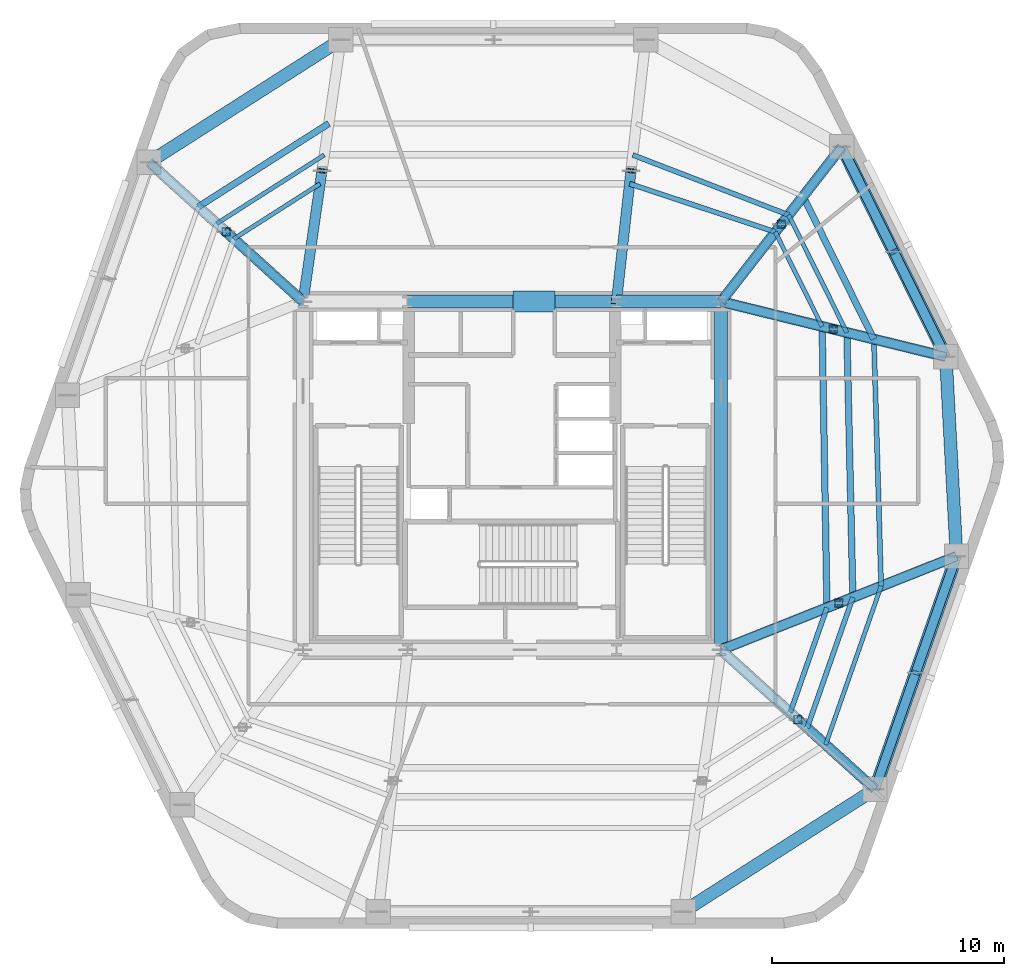
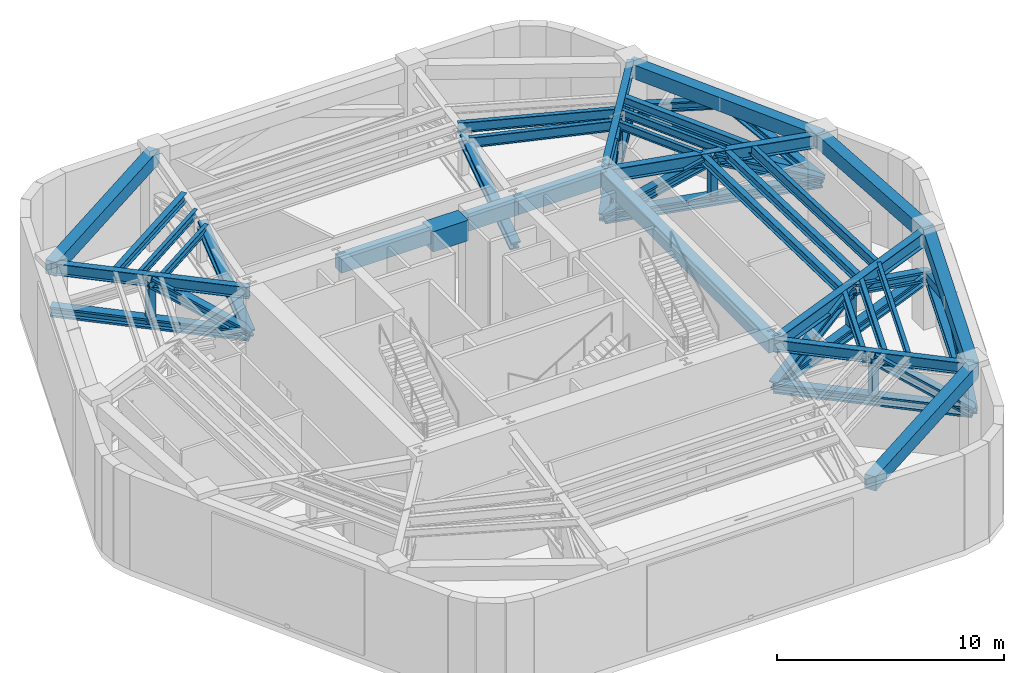
# One storey, part 3 of 10: 28 beams, 26 members.
"""IFC4 building model written with IfcOpenShell, lengths in metres."""

from ifc_helpers import new_model, si_unit, direction, frame, origin, origin_2d, place, context, subcontext, project, spatial, rectangle, hollow_rectangle, i_section, extrude, material, material_profile, profile_set, type_object, element, save


model = new_model("IFC4")

# Units and contexts
model_context = context("Model", 3, precision=1e-05, world=origin(), true_north=direction((0.0, 1.0)))
body_context = subcontext(model_context, "Body", "Model", "MODEL_VIEW")
ifc_project = project(units=[si_unit("LENGTHUNIT", "METRE"), si_unit("AREAUNIT", "SQUARE_METRE"), si_unit("VOLUMEUNIT", "CUBIC_METRE"), si_unit("PLANEANGLEUNIT", "RADIAN"), si_unit("MASSUNIT", "GRAM", prefix="KILO")], contexts=[model_context])

# Site, building, storey
site_placement = place(None, origin())
site = spatial("IfcSite", under=ifc_project, at=site_placement, CompositionType="ELEMENT")
building_placement = place(site_placement, origin())
building = spatial("IfcBuilding", under=site, at=building_placement, Name="Kilnhurst Terrace Hotel", CompositionType="ELEMENT")
storey_placement = place(building_placement, frame((0.0, 0.0, 170.199951171875)))
storey = spatial("IfcBuildingStorey", under=building, at=storey_placement, Name="L42", CompositionType="ELEMENT", Elevation=170.199951171875)

# Beams
ifc_material_1 = material(Name="Concrete C50/60", Category="concrete")
ifc_material_profile_1 = material_profile(ifc_material_1, rectangle(XDim=0.550048828125, YDim=0.75, at=origin_2d()), Name="RC550X750")
ifc_profile_set_1 = profile_set([ifc_material_profile_1], Name="Concrete C50/60")
beam_type_1 = type_object("IfcBeamType", Name="BM-SPN-550X750", PredefinedType="SPANDREL", material=ifc_profile_set_1)
beam_1_placement = place(storey_placement, frame((-4.5, 7.5, 4.72509765625), z_axis=(1.0, 0.0, 0.0), x_axis=(0.0, 1.0, 0.0)))
element("IfcBeam", 1, at=beam_1_placement, inside=storey, type_object=beam_type_1, Name="L42 Core Tie Beam CC-NC1 to CC-NC2", PredefinedType="SPANDREL", context=body_context, shape_type="SweptSolid", body=[
    extrude(rectangle(XDim=0.550048828125, YDim=0.75, at=origin_2d()), origin(), (0.0, 0.0, 1.0), 9.0),
])
beam_2_placement = place(storey_placement, frame((4.5, 7.5, 4.72509765625), z_axis=(1.0, 0.0, 0.0), x_axis=(0.0, 1.0, 0.0)))
element("IfcBeam", 2, at=beam_2_placement, inside=storey, type_object=beam_type_1, Name="L42 Core Tie Beam CC-NC2 to CC-NE", PredefinedType="SPANDREL", context=body_context, shape_type="SweptSolid", body=[
    extrude(rectangle(XDim=0.550048828125, YDim=0.75, at=origin_2d()), origin(), (0.0, 0.0, 1.0), 4.5),
])
beam_3_placement = place(storey_placement, frame((9.0, -7.5, 4.72509765625), z_axis=(0.0, 1.0, 0.0), x_axis=(-1.0, 0.0, 0.0)))
element("IfcBeam", 3, at=beam_3_placement, inside=storey, type_object=beam_type_1, Name="L42 Core Tie Beam CC-SE to CC-NE", PredefinedType="SPANDREL", context=body_context, shape_type="SweptSolid", body=[
    extrude(rectangle(XDim=0.550048828125, YDim=0.75, at=origin_2d()), origin(), (0.0, 0.0, 1.0), 15.0),
])
beam_4_placement = place(storey_placement, frame((7.368896484375, -18.780029296875, 4.72509765625), z_axis=(0.842915241256, 0.538046369803, 0.0), x_axis=(-0.538046369803, 0.842915241256, 0.0)))
element("IfcBeam", 4, at=beam_4_placement, inside=storey, type_object=beam_type_1, Name="L42 Perimeter Spandrel Beam 2", PredefinedType="SPANDREL", context=body_context, shape_type="SweptSolid", body=[
    extrude(rectangle(XDim=0.550048828125, YDim=0.75, at=origin_2d()), origin(), (0.0, 0.0, 1.0), 9.80419921875),
])
beam_5_placement = place(storey_placement, frame((15.633056640625, -13.5048828125, 4.72509765625), z_axis=(0.330488460168, 0.943810032632, 0.0), x_axis=(-0.943810032632, 0.330488460168, 0.0)))
element("IfcBeam", 5, at=beam_5_placement, inside=storey, type_object=beam_type_1, Name="L42 Perimeter Spandrel Beam 3", PredefinedType="SPANDREL", context=body_context, shape_type="SweptSolid", body=[
    extrude(rectangle(XDim=0.550048828125, YDim=0.75, at=origin_2d()), origin(), (0.0, 0.0, 1.0), 10.635498046875),
])
beam_6_placement = place(storey_placement, frame((19.14794921875, -3.467041015625, 4.72509765625), z_axis=(-0.053576072051, 0.998563770875, 0.0), x_axis=(-0.998563770875, -0.053576072051, 0.0)))
element("IfcBeam", 6, at=beam_6_placement, inside=storey, type_object=beam_type_1, Name="L42 Perimeter Spandrel Beam 4", PredefinedType="SPANDREL", context=body_context, shape_type="SweptSolid", body=[
    extrude(rectangle(XDim=0.550048828125, YDim=0.75, at=origin_2d()), origin(), (0.0, 0.0, 1.0), 8.603515625),
])
beam_7_placement = place(storey_placement, frame((18.68701171875, 5.1240234375, 4.72509765625), z_axis=(-0.444192032261, 0.895931603682, 0.0), x_axis=(-0.895931603682, -0.444192032261, 0.0)))
element("IfcBeam", 7, at=beam_7_placement, inside=storey, type_object=beam_type_1, Name="L42 Perimeter Spandrel Beam 5", PredefinedType="SPANDREL", context=body_context, shape_type="SweptSolid", body=[
    extrude(rectangle(XDim=0.550048828125, YDim=0.75, at=origin_2d()), origin(), (0.0, 0.0, 1.0), 10.09228515625),
])
beam_8_placement = place(storey_placement, frame((-7.368896484375, 18.780029296875, 4.72509765625), z_axis=(-0.842915241256, -0.538046369803, 0.0), x_axis=(0.538046369803, -0.842915241256, 0.0)))
element("IfcBeam", 8, at=beam_8_placement, inside=storey, type_object=beam_type_1, Name="L42 Perimeter Spandrel Beam 8", PredefinedType="SPANDREL", context=body_context, shape_type="SweptSolid", body=[
    extrude(rectangle(XDim=0.550048828125, YDim=0.75, at=origin_2d()), origin(), (0.0, 0.0, 1.0), 9.80419921875),
])
ifc_material_2 = material(Name="Steel ASTM A992 Grade 50", Category="steel")
ifc_material_profile_2 = material_profile(ifc_material_2, i_section(OverallWidth=0.3251953125, OverallDepth=0.6162109375, WebThickness=0.013916015625, FlangeThickness=0.021484375, at=origin_2d()), Name="W24X117")
ifc_profile_set_2 = profile_set([ifc_material_profile_2], Name="Steel ASTM A992 Grade 50")
beam_type_2 = type_object("IfcBeamType", Name="BM-STL-W24X117", PredefinedType="BEAM", material=ifc_profile_set_2)
beam_9_placement = place(storey_placement, frame((9.0, -7.5, 4.7919921875), z_axis=(0.741338585645, -0.671131210296, 0.0), x_axis=(0.671131210296, 0.741338585645, 0.0)))
element("IfcBeam", 9, at=beam_9_placement, inside=storey, type_object=beam_type_2, Name="L42 Radial Floor Beam 3", PredefinedType="BEAM", context=body_context, shape_type="SweptSolid", body=[
    extrude(i_section(OverallWidth=0.3251953125, OverallDepth=0.6162109375, WebThickness=0.013916015625, FlangeThickness=0.021484375, at=origin_2d()), origin(), (0.0, 0.0, 1.0), 8.947509765625),
])
beam_10_placement = place(storey_placement, frame((9.0, 7.5, 4.7919921875), z_axis=(0.615370616457, 0.78823791104, 0.0), x_axis=(-0.78823791104, 0.615370616457, 0.0)))
element("IfcBeam", 10, at=beam_10_placement, inside=storey, type_object=beam_type_2, Name="L42 Radial Floor Beam 6", PredefinedType="BEAM", context=body_context, shape_type="SweptSolid", body=[
    extrude(i_section(OverallWidth=0.3251953125, OverallDepth=0.6162109375, WebThickness=0.013916015625, FlangeThickness=0.021484375, at=origin_2d()), origin(), (0.0, 0.0, 1.0), 8.456787109375),
])
beam_11_placement = place(storey_placement, frame((-9.0, 7.5, 4.7919921875), z_axis=(-0.741338585645, 0.671131210296, 0.0), x_axis=(-0.671131210296, -0.741338585645, 0.0)))
element("IfcBeam", 11, at=beam_11_placement, inside=storey, type_object=beam_type_2, Name="L42 Radial Floor Beam 9", PredefinedType="BEAM", context=body_context, shape_type="SweptSolid", body=[
    extrude(i_section(OverallWidth=0.3251953125, OverallDepth=0.6162109375, WebThickness=0.013916015625, FlangeThickness=0.021484375, at=origin_2d()), origin(), (0.0, 0.0, 1.0), 8.947509765625),
])
ifc_material_profile_3 = material_profile(ifc_material_2, i_section(OverallWidth=0.354736328125, OverallDepth=0.695556640625, WebThickness=0.015380859375, FlangeThickness=0.025146484375, at=origin_2d()), Name="W27X146")
ifc_profile_set_3 = profile_set([ifc_material_profile_3], Name="Steel ASTM A992 Grade 50")
beam_type_3 = type_object("IfcBeamType", Name="BM-STL-W27X146", PredefinedType="BEAM", material=ifc_profile_set_3)
beam_12_placement = place(storey_placement, frame((9.0, 7.5, 4.751953125), z_axis=(0.971212767405, -0.238213686486, 0.0), x_axis=(0.238213686486, 0.971212767405, 0.0)))
element("IfcBeam", 12, at=beam_12_placement, inside=storey, type_object=beam_type_3, Name="L42 Radial Floor Beam 5", PredefinedType="BEAM", context=body_context, shape_type="SweptSolid", body=[
    extrude(i_section(OverallWidth=0.354736328125, OverallDepth=0.695556640625, WebThickness=0.015380859375, FlangeThickness=0.025146484375, at=origin_2d()), origin(), (0.0, 0.0, 1.0), 9.97412109375),
])
ifc_material_profile_4 = material_profile(ifc_material_2, i_section(OverallWidth=0.380615234375, OverallDepth=0.773193359375, WebThickness=0.0166015625, FlangeThickness=0.027099609375, at=origin_2d()), Name="W30X173")
ifc_profile_set_4 = profile_set([ifc_material_profile_4], Name="Steel ASTM A992 Grade 50")
beam_type_4 = type_object("IfcBeamType", Name="BM-STL-W30X173", PredefinedType="BEAM", material=ifc_profile_set_4)
beam_13_placement = place(storey_placement, frame((9.0, -7.5, 4.713134765625), z_axis=(0.929302373458, 0.369319778356, 0.0), x_axis=(-0.369319778356, 0.929302373458, 0.0)))
element("IfcBeam", 13, at=beam_13_placement, inside=storey, type_object=beam_type_4, Name="L42 Radial Floor Beam 4", PredefinedType="BEAM", context=body_context, shape_type="SweptSolid", body=[
    extrude(i_section(OverallWidth=0.380615234375, OverallDepth=0.773193359375, WebThickness=0.0166015625, FlangeThickness=0.027099609375, at=origin_2d()), origin(), (0.0, 0.0, 1.0), 10.919921875),
])
ifc_material_profile_5 = material_profile(ifc_material_2, i_section(OverallWidth=0.180908203125, OverallDepth=0.417236328125, WebThickness=0.010986328125, FlangeThickness=0.018310546875, at=origin_2d()), Name="W16X57")
ifc_profile_set_5 = profile_set([ifc_material_profile_5], Name="Steel ASTM A992 Grade 50")
beam_type_5 = type_object("IfcBeamType", Name="JST-STL-W16X57", PredefinedType="JOIST", material=ifc_profile_set_5)
beam_14_placement = place(storey_placement, frame((13.510498046875, -11.58349609375, 4.89111328125), z_axis=(0.330481239411, 0.943812561051, 0.0), x_axis=(-0.943812561051, 0.330481239411, 0.0)))
element("IfcBeam", 14, at=beam_14_placement, inside=storey, type_object=beam_type_5, Name="L42 Secondary Floor Steel Joist OUT.3", PredefinedType="JOIST", context=body_context, shape_type="SweptSolid", body=[
    extrude(i_section(OverallWidth=0.180908203125, OverallDepth=0.417236328125, WebThickness=0.010986328125, FlangeThickness=0.018310546875, at=origin_2d()), origin(), (0.0, 0.0, 1.0), 7.232177734375),
])
beam_15_placement = place(storey_placement, frame((13.359130859375, 6.430908203125, 4.89111328125), z_axis=(-0.444200626094, 0.895927342912, 0.0), x_axis=(-0.895927342912, -0.444200626094, 0.0)))
element("IfcBeam", 15, at=beam_15_placement, inside=storey, type_object=beam_type_5, Name="L42 Secondary Floor Steel Joist IN.5", PredefinedType="JOIST", context=body_context, shape_type="SweptSolid", body=[
    extrude(i_section(OverallWidth=0.180908203125, OverallDepth=0.417236328125, WebThickness=0.010986328125, FlangeThickness=0.018310546875, at=origin_2d()), origin(), (0.0, 0.0, 1.0), 4.54150390625),
])
beam_16_placement = place(storey_placement, frame((-8.26611328125, 12.575927734375, 4.89111328125), z_axis=(-0.842910995806, -0.53805302076, 0.0), x_axis=(0.53805302076, -0.842910995806, 0.0)))
element("IfcBeam", 16, at=beam_16_placement, inside=storey, type_object=beam_type_5, Name="L42 Secondary Floor Steel Joist IN.8", PredefinedType="JOIST", context=body_context, shape_type="SweptSolid", body=[
    extrude(i_section(OverallWidth=0.180908203125, OverallDepth=0.417236328125, WebThickness=0.010986328125, FlangeThickness=0.018310546875, at=origin_2d()), origin(), (0.0, 0.0, 1.0), 4.411865234375),
])
beam_17_placement = place(storey_placement, frame((14.4248046875, 6.16943359375, 4.89111328125), z_axis=(-0.444204491744, 0.895925426313, 0.0), x_axis=(-0.895925426313, -0.444204491744, 0.0)))
element("IfcBeam", 17, at=beam_17_placement, inside=storey, type_object=beam_type_5, Name="L42 Secondary Floor Steel Joist MID.5", PredefinedType="JOIST", context=body_context, shape_type="SweptSolid", body=[
    extrude(i_section(OverallWidth=0.180908203125, OverallDepth=0.417236328125, WebThickness=0.010986328125, FlangeThickness=0.018310546875, at=origin_2d()), origin(), (0.0, 0.0, 1.0), 5.651611328125),
])
beam_18_placement = place(storey_placement, frame((-8.086669921875, 13.81689453125, 4.89111328125), z_axis=(-0.842913627897, -0.538048897318, 0.0), x_axis=(0.538048897318, -0.842913627897, 0.0)))
element("IfcBeam", 18, at=beam_18_placement, inside=storey, type_object=beam_type_5, Name="L42 Secondary Floor Steel Joist MID.8", PredefinedType="JOIST", context=body_context, shape_type="SweptSolid", body=[
    extrude(i_section(OverallWidth=0.180908203125, OverallDepth=0.417236328125, WebThickness=0.010986328125, FlangeThickness=0.018310546875, at=origin_2d()), origin(), (0.0, 0.0, 1.0), 5.490478515625),
])
ifc_material_profile_6 = material_profile(ifc_material_2, i_section(OverallWidth=0.279296875, OverallDepth=0.462890625, WebThickness=0.0107421875, FlangeThickness=0.017333984375, at=origin_2d()), Name="W18X76")
ifc_profile_set_6 = profile_set([ifc_material_profile_6], Name="Steel ASTM A992 Grade 50")
beam_type_6 = type_object("IfcBeamType", Name="JST-STL-W18X76", PredefinedType="JOIST", material=ifc_profile_set_6)
beam_19_placement = place(storey_placement, frame((15.587158203125, 5.88427734375, 4.8681640625), z_axis=(-0.444180101574, 0.895937518673, 0.0), x_axis=(-0.895937518673, -0.444180101574, 0.0)))
element("IfcBeam", 19, at=beam_19_placement, inside=storey, type_object=beam_type_6, Name="L42 Secondary Floor Steel Joist OUT.5", PredefinedType="JOIST", context=body_context, shape_type="SweptSolid", body=[
    extrude(i_section(OverallWidth=0.279296875, OverallDepth=0.462890625, WebThickness=0.0107421875, FlangeThickness=0.017333984375, at=origin_2d()), origin(), (0.0, 0.0, 1.0), 6.86279296875),
])
beam_20_placement = place(storey_placement, frame((-7.890869140625, 15.17041015625, 4.8681640625), z_axis=(-0.842927863369, -0.538026595213, 0.0), x_axis=(0.538026595213, -0.842927863369, 0.0)))
element("IfcBeam", 20, at=beam_20_placement, inside=storey, type_object=beam_type_6, Name="L42 Secondary Floor Steel Joist OUT.8", PredefinedType="JOIST", context=body_context, shape_type="SweptSolid", body=[
    extrude(i_section(OverallWidth=0.279296875, OverallDepth=0.462890625, WebThickness=0.0107421875, FlangeThickness=0.017333984375, at=origin_2d()), origin(), (0.0, 0.0, 1.0), 6.666748046875),
])
beam_21_placement = place(storey_placement, frame((13.566650390625, -5.685302734375, 4.8681640625), z_axis=(-0.017124916462, 0.999853357866, 0.0), x_axis=(-0.999853357866, -0.017124916462, 0.0)))
element("IfcBeam", 21, at=beam_21_placement, inside=storey, type_object=beam_type_6, Name="L42 Secondary Floor Steel Joist IN.4", PredefinedType="JOIST", context=body_context, shape_type="SweptSolid", body=[
    extrude(i_section(OverallWidth=0.279296875, OverallDepth=0.462890625, WebThickness=0.0107421875, FlangeThickness=0.017333984375, at=origin_2d()), origin(), (0.0, 0.0, 1.0), 12.117919921875),
])
beam_22_placement = place(storey_placement, frame((14.682861328125, -5.241455078125, 4.8681640625), z_axis=(-0.022609166003, 0.999744380136, 0.0), x_axis=(-0.999744380136, -0.022609166003, 0.0)))
element("IfcBeam", 22, at=beam_22_placement, inside=storey, type_object=beam_type_6, Name="L42 Secondary Floor Steel Joist MID.4", PredefinedType="JOIST", context=body_context, shape_type="SweptSolid", body=[
    extrude(i_section(OverallWidth=0.279296875, OverallDepth=0.462890625, WebThickness=0.0107421875, FlangeThickness=0.017333984375, at=origin_2d()), origin(), (0.0, 0.0, 1.0), 11.413818359375),
])
ifc_material_profile_7 = material_profile(ifc_material_2, i_section(OverallWidth=0.2138671875, OverallDepth=0.549072265625, WebThickness=0.0146484375, FlangeThickness=0.023681640625, at=origin_2d()), Name="W21X93")
ifc_profile_set_7 = profile_set([ifc_material_profile_7], Name="Steel ASTM A992 Grade 50")
beam_type_7 = type_object("IfcBeamType", Name="JST-STL-W21X93", PredefinedType="JOIST", material=ifc_profile_set_7)
beam_23_placement = place(storey_placement, frame((15.900634765625, -4.757568359375, 4.824951171875), z_axis=(-0.029444201298, 0.999566425512, 0.0), x_axis=(-0.999566425512, -0.029444201298, 0.0)))
element("IfcBeam", 23, at=beam_23_placement, inside=storey, type_object=beam_type_7, Name="L42 Secondary Floor Steel Joist OUT.4", PredefinedType="JOIST", context=body_context, shape_type="SweptSolid", body=[
    extrude(i_section(OverallWidth=0.2138671875, OverallDepth=0.549072265625, WebThickness=0.0146484375, FlangeThickness=0.023681640625, at=origin_2d()), origin(), (0.0, 0.0, 1.0), 10.646484375),
])
beam_24_placement = place(storey_placement, frame((11.98486328125, -10.2021484375, 4.824951171875), z_axis=(0.330516298629, 0.943800284139, 0.0), x_axis=(-0.943800284139, 0.330516298629, 0.0)))
element("IfcBeam", 24, at=beam_24_placement, inside=storey, type_object=beam_type_7, Name="L42 Secondary Floor Steel Joist IN.3", PredefinedType="JOIST", context=body_context, shape_type="SweptSolid", body=[
    extrude(i_section(OverallWidth=0.2138671875, OverallDepth=0.549072265625, WebThickness=0.0146484375, FlangeThickness=0.023681640625, at=origin_2d()), origin(), (0.0, 0.0, 1.0), 4.785888671875),
])
beam_25_placement = place(storey_placement, frame((11.341796875, 10.499755859375, 4.824951171875), z_axis=(-0.949415572736, 0.314022404051, 0.0), x_axis=(-0.314022404051, -0.949415572736, 0.0)))
element("IfcBeam", 25, at=beam_25_placement, inside=storey, type_object=beam_type_7, Name="L42 Secondary Floor Steel Joist IN.6", PredefinedType="JOIST", context=body_context, shape_type="SweptSolid", body=[
    extrude(i_section(OverallWidth=0.2138671875, OverallDepth=0.549072265625, WebThickness=0.0146484375, FlangeThickness=0.023681640625, at=origin_2d()), origin(), (0.0, 0.0, 1.0), 6.611572265625),
])
beam_26_placement = place(storey_placement, frame((12.714599609375, -10.86279296875, 4.824951171875), z_axis=(0.330469104178, 0.943816810183, 0.0), x_axis=(-0.943816810183, 0.330469104178, 0.0)))
element("IfcBeam", 26, at=beam_26_placement, inside=storey, type_object=beam_type_7, Name="L42 Secondary Floor Steel Joist MID.3", PredefinedType="JOIST", context=body_context, shape_type="SweptSolid", body=[
    extrude(i_section(OverallWidth=0.2138671875, OverallDepth=0.549072265625, WebThickness=0.0146484375, FlangeThickness=0.023681640625, at=origin_2d()), origin(), (0.0, 0.0, 1.0), 5.9560546875),
])
beam_27_placement = place(storey_placement, frame((11.914306640625, 11.23291015625, 4.824951171875), z_axis=(-0.93322130885, 0.35930208559, 0.0), x_axis=(-0.35930208559, -0.93322130885, 0.0)))
element("IfcBeam", 27, at=beam_27_placement, inside=storey, type_object=beam_type_7, Name="L42 Secondary Floor Steel Joist MID.6", PredefinedType="JOIST", context=body_context, shape_type="SweptSolid", body=[
    extrude(i_section(OverallWidth=0.2138671875, OverallDepth=0.549072265625, WebThickness=0.0146484375, FlangeThickness=0.023681640625, at=origin_2d()), origin(), (0.0, 0.0, 1.0), 7.191650390625),
])
ifc_material_3 = material(Name="Concrete C80/95", Category="concrete")
ifc_material_profile_8 = material_profile(ifc_material_3, rectangle(XDim=0.89990234375, YDim=1.10009765625, at=origin_2d()), Name="RC900X1100")
ifc_profile_set_8 = profile_set([ifc_material_profile_8], Name="Concrete C80/95")
beam_type_8 = type_object("IfcBeamType", Name="LNT-CB-900X1100", PredefinedType="LINTEL", material=ifc_profile_set_8)
beam_28_placement = place(storey_placement, frame((0.050048828125, 7.5, 4.550048828125), z_axis=(1.0, 0.0, 0.0), x_axis=(0.0, 1.0, 0.0)))
element("IfcBeam", 28, at=beam_28_placement, inside=storey, type_object=beam_type_8, Name="L42 North Core Coupling Link Beam", PredefinedType="LINTEL", context=body_context, shape_type="SweptSolid", body=[
    extrude(rectangle(XDim=0.89990234375, YDim=1.10009765625, at=origin_2d()), origin(), (0.0, 0.0, 1.0), 1.800048828125),
])

# Members
ifc_material_profile_9 = material_profile(ifc_material_2, i_section(OverallWidth=0.41845703125, OverallDepth=0.455078125, WebThickness=0.0419921875, FlangeThickness=0.067626953125, at=origin_2d()), Name="W14X370")
ifc_profile_set_9 = profile_set([ifc_material_profile_9], Name="Steel ASTM A992 Grade 50")
member_type_1 = type_object("IfcMemberType", Name="MEM-BLT-DIAG-370", PredefinedType="BRACE", material=ifc_profile_set_9)
member_1_placement = place(storey_placement, frame((18.68701171875, 5.1240234375, 2.52001953125), z_axis=(-0.406213944814, 0.819508642562, 0.404222483052), x_axis=(-0.895970110451, -0.444114355969, 0.0)))
element("IfcMember", 29, at=member_1_placement, inside=storey, type_object=member_type_1, Name="L42 Belt Truss Left Diagonal 3", PredefinedType="BRACE", context=body_context, shape_type="SweptSolid", body=[
    extrude(i_section(OverallWidth=0.41845703125, OverallDepth=0.455078125, WebThickness=0.0419921875, FlangeThickness=0.067626953125, at=origin_2d()), origin(), (0.0, 0.0, 1.0), 5.5166015625),
])
member_2_placement = place(storey_placement, frame((14.2041015625, 14.166015625, 2.52001953125), z_axis=(0.406361737859, -0.81944970725, 0.404193413221), x_axis=(0.895893093489, 0.444269698537, 0.0)))
element("IfcMember", 30, at=member_2_placement, inside=storey, type_object=member_type_1, Name="L42 Belt Truss Right Diagonal 3", PredefinedType="BRACE", context=body_context, shape_type="SweptSolid", body=[
    extrude(i_section(OverallWidth=0.41845703125, OverallDepth=0.455078125, WebThickness=0.0419921875, FlangeThickness=0.067626953125, at=origin_2d()), origin(), (0.0, 0.0, 1.0), 5.51708984375),
])
ifc_material_4 = material(Name="Steel ASTM A500 Grade C", Category="steel")
ifc_material_profile_10 = material_profile(ifc_material_4, hollow_rectangle(XDim=0.39990234375, YDim=0.39990234375, WallThickness=0.01611328125, at=origin_2d()), Name="HSS400X400X16")
ifc_profile_set_10 = profile_set([ifc_material_profile_10], Name="Steel ASTM A500 Grade C")
member_type_2 = type_object("IfcMemberType", Name="MEM-BLT-HSS-400", PredefinedType="BRACE", material=ifc_profile_set_10)
member_3_placement = place(storey_placement, frame((15.633056640625, -13.5048828125, 2.52001953125), z_axis=(0.304684863514, 0.870401158873, 0.386741459607), x_axis=(-0.943843323583, 0.330393372404, 0.0)))
element("IfcMember", 31, at=member_3_placement, inside=storey, type_object=member_type_2, Name="L42 Belt Truss Left Diagonal 2", PredefinedType="BRACE", context=body_context, shape_type="SweptSolid", body=[
    extrude(hollow_rectangle(XDim=0.39990234375, YDim=0.39990234375, WallThickness=0.01611328125, at=origin_2d()), origin(), (0.0, 0.0, 1.0), 5.76611328125),
])
member_4_placement = place(storey_placement, frame((19.14794921875, -3.467041015625, 2.52001953125), z_axis=(-0.30486566214, -0.870355267639, 0.38670225774), x_axis=(0.94377673607, -0.330583533245, 0.0)))
element("IfcMember", 32, at=member_4_placement, inside=storey, type_object=member_type_2, Name="L42 Belt Truss Right Diagonal 2", PredefinedType="BRACE", context=body_context, shape_type="SweptSolid", body=[
    extrude(hollow_rectangle(XDim=0.39990234375, YDim=0.39990234375, WallThickness=0.01611328125, at=origin_2d()), origin(), (0.0, 0.0, 1.0), 5.7666015625),
])
ifc_material_profile_11 = material_profile(ifc_material_2, i_section(OverallWidth=0.40625, OverallDepth=0.416015625, WebThickness=0.02978515625, FlangeThickness=0.048095703125, at=origin_2d()), Name="W14X257")
ifc_profile_set_11 = profile_set([ifc_material_profile_11], Name="Steel ASTM A992 Grade 50")
member_type_3 = type_object("IfcMemberType", Name="MEM-CHD-W14X257", PredefinedType="CHORD", material=ifc_profile_set_11)
member_5_placement = place(storey_placement, frame((15.633056640625, -13.5048828125, 2.52001953125), z_axis=(0.330488460168, 0.943810032632, 0.0), x_axis=(-0.943810032632, 0.330488460168, 0.0)))
element("IfcMember", 33, at=member_5_placement, inside=storey, type_object=member_type_3, Name="L42 Belt Truss Bottom Chord 2", PredefinedType="CHORD", context=body_context, shape_type="SweptSolid", body=[
    extrude(i_section(OverallWidth=0.40625, OverallDepth=0.416015625, WebThickness=0.02978515625, FlangeThickness=0.048095703125, at=origin_2d()), origin(), (0.0, 0.0, 1.0), 10.635498046875),
])
member_6_placement = place(storey_placement, frame((18.68701171875, 5.1240234375, 2.52001953125), z_axis=(-0.444192032261, 0.895931603682, 0.0), x_axis=(-0.895931603682, -0.444192032261, 0.0)))
element("IfcMember", 34, at=member_6_placement, inside=storey, type_object=member_type_3, Name="L42 Belt Truss Bottom Chord 3", PredefinedType="CHORD", context=body_context, shape_type="SweptSolid", body=[
    extrude(i_section(OverallWidth=0.40625, OverallDepth=0.416015625, WebThickness=0.02978515625, FlangeThickness=0.048095703125, at=origin_2d()), origin(), (0.0, 0.0, 1.0), 10.09228515625),
])
ifc_material_profile_12 = material_profile(ifc_material_2, i_section(OverallWidth=0.44189453125, OverallDepth=0.531494140625, WebThickness=0.06591796875, FlangeThickness=0.105712890625, at=origin_2d()), Name="W14X605")
ifc_profile_set_12 = profile_set([ifc_material_profile_12], Name="Steel ASTM A992 Grade 50")
member_type_4 = type_object("IfcMemberType", Name="MEM-CHD-W14X605", PredefinedType="CHORD", material=ifc_profile_set_12)
member_7_placement = place(storey_placement, frame((9.0, -7.5, 2.52001953125), z_axis=(0.741338585645, -0.671131210296, 0.0), x_axis=(0.671131210296, 0.741338585645, 0.0)))
element("IfcMember", 35, at=member_7_placement, inside=storey, type_object=member_type_4, Name="L42 Outrigger Bottom Chord 3", PredefinedType="CHORD", context=body_context, shape_type="SweptSolid", body=[
    extrude(i_section(OverallWidth=0.44189453125, OverallDepth=0.531494140625, WebThickness=0.06591796875, FlangeThickness=0.105712890625, at=origin_2d()), origin(), (0.0, 0.0, 1.0), 8.947509765625),
])
member_8_placement = place(storey_placement, frame((9.0, -7.5, 2.52001953125), z_axis=(0.929302373458, 0.369319778356, 0.0), x_axis=(-0.369319778356, 0.929302373458, 0.0)))
element("IfcMember", 36, at=member_8_placement, inside=storey, type_object=member_type_4, Name="L42 Outrigger Bottom Chord 4", PredefinedType="CHORD", context=body_context, shape_type="SweptSolid", body=[
    extrude(i_section(OverallWidth=0.44189453125, OverallDepth=0.531494140625, WebThickness=0.06591796875, FlangeThickness=0.105712890625, at=origin_2d()), origin(), (0.0, 0.0, 1.0), 10.919921875),
])
member_9_placement = place(storey_placement, frame((9.0, 7.5, 2.52001953125), z_axis=(0.971212767405, -0.238213686486, 0.0), x_axis=(0.238213686486, 0.971212767405, 0.0)))
element("IfcMember", 37, at=member_9_placement, inside=storey, type_object=member_type_4, Name="L42 Outrigger Bottom Chord 5", PredefinedType="CHORD", context=body_context, shape_type="SweptSolid", body=[
    extrude(i_section(OverallWidth=0.44189453125, OverallDepth=0.531494140625, WebThickness=0.06591796875, FlangeThickness=0.105712890625, at=origin_2d()), origin(), (0.0, 0.0, 1.0), 9.97412109375),
])
member_10_placement = place(storey_placement, frame((9.0, 7.5, 2.52001953125), z_axis=(0.615370616457, 0.78823791104, 0.0), x_axis=(-0.78823791104, 0.615370616457, 0.0)))
element("IfcMember", 38, at=member_10_placement, inside=storey, type_object=member_type_4, Name="L42 Outrigger Bottom Chord 6", PredefinedType="CHORD", context=body_context, shape_type="SweptSolid", body=[
    extrude(i_section(OverallWidth=0.44189453125, OverallDepth=0.531494140625, WebThickness=0.06591796875, FlangeThickness=0.105712890625, at=origin_2d()), origin(), (0.0, 0.0, 1.0), 8.456787109375),
])
member_11_placement = place(storey_placement, frame((-9.0, 7.5, 2.52001953125), z_axis=(-0.741338585645, 0.671131210296, 0.0), x_axis=(-0.671131210296, -0.741338585645, 0.0)))
element("IfcMember", 39, at=member_11_placement, inside=storey, type_object=member_type_4, Name="L42 Outrigger Bottom Chord 9", PredefinedType="CHORD", context=body_context, shape_type="SweptSolid", body=[
    extrude(i_section(OverallWidth=0.44189453125, OverallDepth=0.531494140625, WebThickness=0.06591796875, FlangeThickness=0.105712890625, at=origin_2d()), origin(), (0.0, 0.0, 1.0), 8.947509765625),
])
ifc_material_profile_13 = material_profile(ifc_material_2, i_section(OverallWidth=0.44189453125, OverallDepth=0.531494140625, WebThickness=0.06591796875, FlangeThickness=0.105712890625, at=origin_2d()), Name="W14X605")
ifc_profile_set_13 = profile_set([ifc_material_profile_13], Name="Steel ASTM A992 Grade 50")
member_type_5 = type_object("IfcMemberType", Name="MEM-OTR-DIAG-605", PredefinedType="BRACE", material=ifc_profile_set_13)
member_12_placement = place(storey_placement, frame((12.31591796875, -10.5029296875, 4.75), z_axis=(0.663587752318, -0.600535438471, -0.446103667452), x_axis=(0.671003340537, 0.741454325625, 0.0)))
element("IfcMember", 40, at=member_12_placement, inside=storey, type_object=member_type_5, Name="L42 Outrigger Outer Diagonal 3", PredefinedType="BRACE", context=body_context, shape_type="SweptSolid", body=[
    extrude(i_section(OverallWidth=0.44189453125, OverallDepth=0.531494140625, WebThickness=0.06591796875, FlangeThickness=0.105712890625, at=origin_2d()), origin(), (0.0, 0.0, 1.0), 4.998779296875),
])
member_13_placement = place(storey_placement, frame((9.0, -7.5, 2.52001953125), z_axis=(0.860332579943, 0.341847974073, 0.378110849502), x_axis=(-0.369261852789, 0.929325391924, 0.0)))
element("IfcMember", 41, at=member_13_placement, inside=storey, type_object=member_type_5, Name="L42 Outrigger Inner Diagonal 4", PredefinedType="BRACE", context=body_context, shape_type="SweptSolid", body=[
    extrude(i_section(OverallWidth=0.44189453125, OverallDepth=0.531494140625, WebThickness=0.06591796875, FlangeThickness=0.105712890625, at=origin_2d()), origin(), (0.0, 0.0, 1.0), 5.897705078125),
])
member_14_placement = place(storey_placement, frame((14.073974609375, -5.48388671875, 4.75), z_axis=(0.860296051599, 0.341957642412, -0.37809479552), x_axis=(-0.369377699619, 0.929279352522, 0.0)))
element("IfcMember", 42, at=member_14_placement, inside=storey, type_object=member_type_5, Name="L42 Outrigger Outer Diagonal 4", PredefinedType="BRACE", context=body_context, shape_type="SweptSolid", body=[
    extrude(i_section(OverallWidth=0.44189453125, OverallDepth=0.531494140625, WebThickness=0.06591796875, FlangeThickness=0.105712890625, at=origin_2d()), origin(), (0.0, 0.0, 1.0), 5.89794921875),
])
member_15_placement = place(storey_placement, frame((9.0, 7.5, 2.52001953125), z_axis=(0.886631222598, -0.217446072736, 0.4081694263), x_axis=(0.23819103662, 0.971218322559, 0.0)))
element("IfcMember", 43, at=member_15_placement, inside=storey, type_object=member_type_5, Name="L42 Outrigger Inner Diagonal 5", PredefinedType="BRACE", context=body_context, shape_type="SweptSolid", body=[
    extrude(i_section(OverallWidth=0.44189453125, OverallDepth=0.531494140625, WebThickness=0.06591796875, FlangeThickness=0.105712890625, at=origin_2d()), origin(), (0.0, 0.0, 1.0), 5.46337890625),
])
member_16_placement = place(storey_placement, frame((13.843994140625, 6.31201171875, 4.75), z_axis=(0.886592982131, -0.217480538945, -0.408234123042), x_axis=(0.23823634053, 0.971207210667, 0.0)))
element("IfcMember", 44, at=member_16_placement, inside=storey, type_object=member_type_5, Name="L42 Outrigger Outer Diagonal 5", PredefinedType="BRACE", context=body_context, shape_type="SweptSolid", body=[
    extrude(i_section(OverallWidth=0.44189453125, OverallDepth=0.531494140625, WebThickness=0.06591796875, FlangeThickness=0.105712890625, at=origin_2d()), origin(), (0.0, 0.0, 1.0), 5.46240234375),
])
for number, where, z_axis, x_axis, name in (
    (45, (9.0, 7.5, 2.52001953125), (0.544314179642, 0.697220602408, 0.466482052622), (-0.78823791104, 0.615370616457, 0.0), "L42 Outrigger Inner Diagonal 6"),
    (46, (11.60205078125, 10.8330078125, 4.75), (0.544314179642, 0.697220602408, -0.466482052622), (-0.78823791104, 0.615370616457, 0.0), "L42 Outrigger Outer Diagonal 6"),
):
    element("IfcMember", number, at=place(storey_placement, frame(where, z_axis=z_axis, x_axis=x_axis)), inside=storey, type_object=member_type_5, Name=name, PredefinedType="BRACE", context=body_context, shape_type="SweptSolid", body=[
        extrude(i_section(OverallWidth=0.44189453125, OverallDepth=0.531494140625, WebThickness=0.06591796875, FlangeThickness=0.105712890625, at=origin_2d()), origin(), (0.0, 0.0, 1.0), 4.780517578125),
    ])
member_17_placement = place(storey_placement, frame((4.5, 7.5, 2.52001953125), z_axis=(0.10282858006, 0.925016755437, 0.365746203375), x_axis=(-0.993877961917, 0.110483468517, 0.0)))
element("IfcMember", 47, at=member_17_placement, inside=storey, type_object=member_type_5, Name="L42 Outrigger Inner Diagonal 7", PredefinedType="BRACE", context=body_context, shape_type="SweptSolid", body=[
    extrude(i_section(OverallWidth=0.44189453125, OverallDepth=0.531494140625, WebThickness=0.06591796875, FlangeThickness=0.105712890625, at=origin_2d()), origin(), (0.0, 0.0, 1.0), 6.09716796875),
])
member_18_placement = place(storey_placement, frame((-9.0, 7.5, 2.52001953125), z_axis=(0.133333238255, 0.9216430691, 0.364412267571), x_axis=(-0.989696878687, 0.14317851905, 0.0)))
element("IfcMember", 48, at=member_18_placement, inside=storey, type_object=member_type_5, Name="L42 Outrigger Inner Diagonal 8", PredefinedType="BRACE", context=body_context, shape_type="SweptSolid", body=[
    extrude(i_section(OverallWidth=0.44189453125, OverallDepth=0.531494140625, WebThickness=0.06591796875, FlangeThickness=0.105712890625, at=origin_2d()), origin(), (0.0, 0.0, 1.0), 6.119384765625),
])
member_19_placement = place(storey_placement, frame((-9.0, 7.5, 2.52001953125), z_axis=(-0.663373192012, 0.600757639652, 0.446123600047), x_axis=(-0.671259067222, -0.741222817155, 0.0)))
element("IfcMember", 49, at=member_19_placement, inside=storey, type_object=member_type_5, Name="L42 Outrigger Inner Diagonal 9", PredefinedType="BRACE", context=body_context, shape_type="SweptSolid", body=[
    extrude(i_section(OverallWidth=0.44189453125, OverallDepth=0.531494140625, WebThickness=0.06591796875, FlangeThickness=0.105712890625, at=origin_2d()), origin(), (0.0, 0.0, 1.0), 4.99853515625),
])
ifc_material_profile_14 = material_profile(ifc_material_4, hollow_rectangle(XDim=0.35009765625, YDim=0.35009765625, WallThickness=0.01611328125, at=origin_2d()), Name="HSS350X350X16")
ifc_profile_set_14 = profile_set([ifc_material_profile_14], Name="Steel ASTM A500 Grade C")
member_type_6 = type_object("IfcMemberType", Name="MEM-STR-HSS350", PredefinedType="STRUT", material=ifc_profile_set_14)
for number, where, z_axis, x_axis, name in (
    (50, (12.31591796875, -10.5029296875, 2.52001953125), (0.0, 0.0, 1.0), (1.0, 0.0, 0.0), "L42 Outrigger Web Post 3"),
    (51, (14.073974609375, -5.48388671875, 2.52001953125), (0.0, 0.0, 1.0), (1.0, 0.0, 0.0), "L42 Outrigger Web Post 4"),
    (52, (13.843994140625, 6.31201171875, 2.52001953125), (0.0, 0.0, 1.0), (1.0, 0.0, 0.0), "L42 Outrigger Web Post 5"),
    (53, (11.60205078125, 10.8330078125, 2.52001953125), (0.0, 0.0, 1.0), (1.0, 0.0, 0.0), "L42 Outrigger Web Post 6"),
    (54, (-12.31591796875, 10.5029296875, 2.52001953125), (0.0, 0.0, 1.0), (1.0, 0.0, 0.0), "L42 Outrigger Web Post 9"),
):
    element("IfcMember", number, at=place(storey_placement, frame(where, z_axis=z_axis, x_axis=x_axis)), inside=storey, type_object=member_type_6, Name=name, PredefinedType="STRUT", context=body_context, shape_type="SweptSolid", body=[
        extrude(hollow_rectangle(XDim=0.35009765625, YDim=0.35009765625, WallThickness=0.01611328125, at=origin_2d()), origin(), (0.0, 0.0, 1.0), 2.22998046875),
    ])

save(model, "model.ifc")
